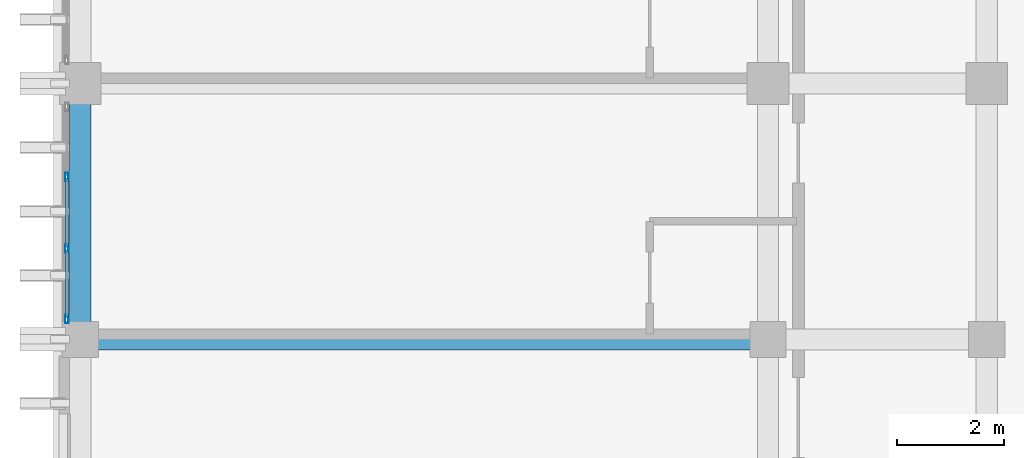
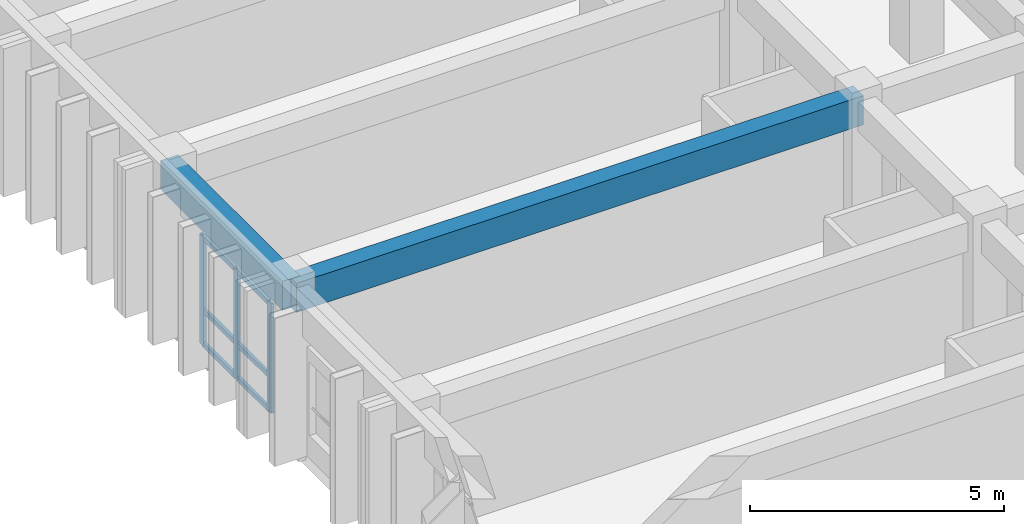
# One storey, part 12 of 68: 9 members, 2 beams, 1 element without a shape of its own.
"""IFC4 building model written with IfcOpenShell, lengths in metres."""

import ifcopenshell
import ifcopenshell.guid

model = None  # the IFC model being written
_history = None  # IfcOwnerHistory: only IFC2X3 demands one
_inside = {}  # id of a spatial element -> (the spatial element, [elements in it])
_under = {}  # id of a project, library or spatial element -> (it, [spatial elements below it])
_declared = {}  # id of a project -> (the project, [libraries it declares])
_typed = {}  # id of a type object -> (the type object, [elements of that type])
_made_of = {}  # id of a material, layer set ... -> (it, [elements and type objects made of it])


def new_model(schema):
    """Start an empty IFC model of exactly this schema.

    Asked for "IFC4X3", IfcOpenShell would pick the latest addendum, in which some entities
    have other attributes; the version numbers below select the first issue.
    IFC2X3 requires an IfcOwnerHistory on every rooted entity: one is made here for all.
    """
    global model, _history
    if schema == "IFC4X3":
        model = ifcopenshell.file(schema_version=(4, 3, 0, 0))
    else:
        model = ifcopenshell.file(schema=schema)
    _inside.clear()
    _under.clear()
    _declared.clear()
    _typed.clear()
    _made_of.clear()
    _history = None
    if model.schema == "IFC2X3":
        org = make("IfcOrganization", Name="unknown")
        user = make(
            "IfcPersonAndOrganization",
            ThePerson=make("IfcPerson", FamilyName="unknown"),
            TheOrganization=org,
        )
        app = make(
            "IfcApplication",
            ApplicationDeveloper=org,
            Version="unknown",
            ApplicationFullName="unknown",
            ApplicationIdentifier="unknown",
        )
        _history = make(
            "IfcOwnerHistory",
            OwningUser=user,
            OwningApplication=app,
            ChangeAction="ADDED",
            CreationDate=0,
        )
    return model


def make(cls, **values):
    """One entity of the class cls with the attributes given. An attribute that is None is left unset."""
    return model.create_entity(
        cls, **{name: value for name, value in values.items() if value is not None}
    )


def rooted(cls, **values):
    """An entity with a GlobalId (a new one), such as an element, a storey or a relation."""
    return make(cls, GlobalId=ifcopenshell.guid.new(), OwnerHistory=_history, **values)


def si_unit(unit_type, name, prefix=None):
    """IfcSIUnit, for example si_unit("LENGTHUNIT", "METRE", prefix="MILLI")."""
    return make("IfcSIUnit", UnitType=unit_type, Prefix=prefix, Name=name)


def assignment(units):
    """IfcUnitAssignment: the units of a project."""
    return None if units is None else make("IfcUnitAssignment", Units=units)


def point(xyz):
    """IfcCartesianPoint."""
    return None if xyz is None else make("IfcCartesianPoint", Coordinates=xyz)


def direction(xyz):
    """IfcDirection."""
    return None if xyz is None else make("IfcDirection", DirectionRatios=xyz)


def frame(location, z_axis=None, x_axis=None):
    """IfcAxis2Placement3D, a coordinate frame: its origin and axes. An axis left out is left unset."""
    return make(
        "IfcAxis2Placement3D",
        Location=point(location),
        Axis=direction(z_axis),
        RefDirection=direction(x_axis),
    )


def frame_2d(location, x_axis=None):
    """IfcAxis2Placement2D, a coordinate frame in the plane: its origin and x axis."""
    return make(
        "IfcAxis2Placement2D", Location=point(location), RefDirection=direction(x_axis)
    )


def origin():
    """The frame at (0, 0, 0) with its axes left unset."""
    return frame((0.0, 0.0, 0.0))


def origin_2d():
    """The frame at (0, 0) in the plane with its x axis left unset."""
    return frame_2d((0.0, 0.0))


def place(relative_to, where):
    """IfcLocalPlacement: puts the frame where relative to a parent placement (None: the world)."""
    return make(
        "IfcLocalPlacement", PlacementRelTo=relative_to, RelativePlacement=where
    )


def context(
    kind, dimensions, precision=None, world=None, true_north=None, identifier=None
):
    """IfcGeometricRepresentationContext, for example the 3D "Model" context."""
    return make(
        "IfcGeometricRepresentationContext",
        ContextIdentifier=identifier,
        ContextType=kind,
        CoordinateSpaceDimension=dimensions,
        Precision=precision,
        WorldCoordinateSystem=world,
        TrueNorth=true_north,
    )


def subcontext(parent, identifier, kind, view, scale=None):
    """IfcGeometricRepresentationSubContext, for example "Body" below "Model"."""
    return make(
        "IfcGeometricRepresentationSubContext",
        ContextIdentifier=identifier,
        ContextType=kind,
        ParentContext=parent,
        TargetScale=scale,
        TargetView=view,
    )


def project(units=None, contexts=None):
    """IfcProject with its units and contexts."""
    return rooted(
        "IfcProject",
        Name="project",
        RepresentationContexts=contexts,
        UnitsInContext=assignment(units),
    )


def spatial(cls, under=None, at=None, **own):
    """A site, building, storey or space (cls), placed at a placement, below another one or the project."""
    s = rooted(cls, ObjectPlacement=at, **own)
    if under is not None:
        _under.setdefault(under.id(), (under, []))[1].append(s)
    return s


def profile(cls, at=None, kind="AREA", **sizes):
    """A parametric profile (cls). Its sizes go by their IFC names, for example OverallWidth=200.0."""
    return make(cls, ProfileType=kind, Position=at, **sizes)


def rectangle(**sizes):
    """IfcRectangleProfileDef."""
    return profile("IfcRectangleProfileDef", **sizes)


def hollow_rectangle(**sizes):
    """IfcRectangleHollowProfileDef."""
    return profile("IfcRectangleHollowProfileDef", **sizes)


def extrude(swept, where, along, depth):
    """IfcExtrudedAreaSolid: the profile swept, set in the frame where, extruded along a direction by depth."""
    return make(
        "IfcExtrudedAreaSolid",
        SweptArea=swept,
        Position=where,
        ExtrudedDirection=direction(along),
        Depth=depth,
    )


def shape(context_of_items, identifier, shape_type, items):
    """IfcShapeRepresentation: the items that make up one representation, for example the "Body"."""
    return make(
        "IfcShapeRepresentation",
        ContextOfItems=context_of_items,
        RepresentationIdentifier=identifier,
        RepresentationType=shape_type,
        Items=items,
    )


def material(Name=None, Category=None):
    """IfcMaterial."""
    return make("IfcMaterial", Name=Name, Category=Category)


def layer(
    of_material, thickness, ventilated=None, Name=None, Category=None, Priority=None
):
    """IfcMaterialLayer: one layer of a wall or slab, of a material (None: an air gap)."""
    return make(
        "IfcMaterialLayer",
        Material=of_material,
        LayerThickness=thickness,
        IsVentilated=ventilated,
        Name=Name,
        Category=Category,
        Priority=Priority,
    )


def layer_set(layers, Name=None):
    """IfcMaterialLayerSet."""
    return make("IfcMaterialLayerSet", MaterialLayers=layers, LayerSetName=Name)


def material_profile(
    of_material, cross_section, Name=None, Category=None, Priority=None
):
    """IfcMaterialProfile: a cross section and its material."""
    return make(
        "IfcMaterialProfile",
        Name=Name,
        Material=of_material,
        Profile=cross_section,
        Priority=Priority,
        Category=Category,
    )


def profile_set(profiles, Name=None, composite=None):
    """IfcMaterialProfileSet."""
    return make(
        "IfcMaterialProfileSet",
        Name=Name,
        MaterialProfiles=profiles,
        CompositeProfile=composite,
    )


def made_of(thing, what):
    """Note that an element or type object is made of a material, layer set ...; save() writes the relation."""
    if what is not None:
        _made_of.setdefault(what.id(), (what, []))[1].append(thing)
    return thing


def type_object(cls, material=None, **own):
    """A type object (cls), such as IfcWallType, which elements share."""
    return made_of(rooted(cls, **own), material)


def element(
    cls,
    number,
    at=None,
    inside=None,
    cuts=None,
    type_object=None,
    material=None,
    context=None,
    identifier="Body",
    shape_type=None,
    held_by="IfcProductDefinitionShape",
    body=None,
    shapes=None,
    **own,
):
    """One element of the class cls, such as IfcWall. Its Tag is "e" and its number.

    at: its placement. inside: the storey or other place that contains it. cuts: it is an
    opening in that element (IfcRelVoidsElement). A single representation is given by context,
    identifier, shape_type and body (its items); several are given by shapes. held_by: the class
    of the entity that holds the representations. save() writes the other relations.
    """
    e = rooted(cls, Tag="e%d" % number, ObjectPlacement=at, **own)
    if body is not None:
        shapes = [shape(context, identifier, shape_type, body)]
    if shapes is not None:
        e.Representation = make(held_by, Representations=shapes)
    if inside is not None:
        _inside.setdefault(inside.id(), (inside, []))[1].append(e)
    if cuts is not None:
        rooted(
            "IfcRelVoidsElement", RelatingBuildingElement=cuts, RelatedOpeningElement=e
        )
    if type_object is not None:
        _typed.setdefault(type_object.id(), (type_object, []))[1].append(e)
    return made_of(e, material)


def aggregate(whole, parts):
    """IfcRelAggregates: a whole, such as a stair, and the parts it consists of."""
    return rooted("IfcRelAggregates", RelatingObject=whole, RelatedObjects=parts)


def save(model, path):
    """Write the relations noted so far, then the file.

    IfcRelAggregates (storeys below a building ...), IfcRelContainedInSpatialStructure (elements
    in a storey), IfcRelDefinesByType, IfcRelAssociatesMaterial and IfcRelDeclares: one each for
    every whole, place, type object, material and project.
    """
    for whole, parts in _under.values():
        aggregate(whole, parts)
    for where, things in _inside.values():
        rooted(
            "IfcRelContainedInSpatialStructure",
            RelatedElements=things,
            RelatingStructure=where,
        )
    for kind, things in _typed.values():
        rooted("IfcRelDefinesByType", RelatedObjects=things, RelatingType=kind)
    for what, things in _made_of.values():
        rooted("IfcRelAssociatesMaterial", RelatedObjects=things, RelatingMaterial=what)
    for by, libraries in _declared.values():
        rooted("IfcRelDeclares", RelatingContext=by, RelatedDefinitions=libraries)
    model.write(path)


model = new_model("IFC4")

# Units and contexts
model_context = context("Model", 3, precision=1e-05, world=origin(), true_north=direction((0.0, 1.0)))
body_context = subcontext(model_context, "Body", "Model", "MODEL_VIEW")
ifc_project = project(units=[si_unit("LENGTHUNIT", "METRE"), si_unit("AREAUNIT", "SQUARE_METRE"), si_unit("VOLUMEUNIT", "CUBIC_METRE"), si_unit("PLANEANGLEUNIT", "RADIAN"), si_unit("MASSUNIT", "GRAM", prefix="KILO")], contexts=[model_context])

# Site, building, storey
site_placement = place(None, origin())
site = spatial("IfcSite", under=ifc_project, at=site_placement, CompositionType="ELEMENT")
building_placement = place(site_placement, origin())
building = spatial("IfcBuilding", under=site, at=building_placement, Name="Nakhvara Creek Congress Hotel", CompositionType="ELEMENT")
storey_placement = place(building_placement, frame((0.0, 0.0, 24.60009765625)))
storey = spatial("IfcBuildingStorey", under=building, at=storey_placement, Name="L05", CompositionType="ELEMENT", Elevation=24.60009765625)

# Beams
ifc_material_1 = material(Name="Concrete C40/50", Category="concrete")
ifc_material_profile_1 = material_profile(ifc_material_1, rectangle(XDim=0.39990234375, YDim=0.699951171875, at=origin_2d()), Name="RC-BM 400x700", Category="LoadBearing")
ifc_profile_set_1 = profile_set([ifc_material_profile_1], Name="Concrete C40/50")
beam_type = type_object("IfcBeamType", Name="BM-RC-400X700", PredefinedType="BEAM", material=ifc_profile_set_1)
beam_1_placement = place(storey_placement, frame((149.449951171875, 52.800048828125, 2.989990234375), z_axis=(0.0, 1.0, 0.0), x_axis=(-1.0, 0.0, 0.0)))
element("IfcBeam", 1, at=beam_1_placement, inside=storey, type_object=beam_type, Name="Beam B05-L05-2067", PredefinedType="BEAM", context=body_context, shape_type="SweptSolid", body=[
    extrude(rectangle(XDim=0.39990234375, YDim=0.699951171875, at=origin_2d()), origin(), (0.0, 0.0, 1.0), 4.800048828125),
])
beam_2_placement = place(storey_placement, frame((149.449951171875, 52.800048828125, 2.989990234375), z_axis=(1.0, 0.0, 0.0), x_axis=(0.0, 1.0, 0.0)))
element("IfcBeam", 2, at=beam_2_placement, inside=storey, type_object=beam_type, Name="Beam B05-L05-2169", PredefinedType="BEAM", context=body_context, shape_type="SweptSolid", body=[
    extrude(rectangle(XDim=0.39990234375, YDim=0.699951171875, at=origin_2d()), origin(), (0.0, 0.0, 1.0), 12.900146484375),
])

# Curtain wall, members
ifc_material_2 = material(Name="Bronze-anodised aluminium AW-6063-T6 and double-silver low-E glass", Category="aluminium")
ifc_layer = layer(ifc_material_2, 0.199951171875)
ifc_layer_set = layer_set([ifc_layer], Name="Bronze-anodised aluminium AW-6063-T6 and double-silver low-E glass")
curtain_wall_type = type_object("IfcCurtainWallType", Name="CW-HTL-UNIT", PredefinedType="USERDEFINED", material=ifc_layer_set)
curtain_wall_placement = place(storey_placement, origin())
curtain_wall = element("IfcCurtainWall", 3, at=curtain_wall_placement, inside=storey, type_object=curtain_wall_type, Name="Curtain Wall CW209", ObjectType="UNITISED", PredefinedType="USERDEFINED")
ifc_material_3 = material(Name="Bronze-anodised aluminium AW-6063-T6", Category="aluminium")
ifc_material_profile_2 = material_profile(ifc_material_3, hollow_rectangle(XDim=0.06494140625, YDim=0.159912109375, WallThickness=0.00390625, at=origin_2d()), Name="ALU-MULL 65x160x4", Category="LoadBearing")
ifc_profile_set_2 = profile_set([ifc_material_profile_2], Name="Bronze-anodised aluminium AW-6063-T6")
member_type_1 = type_object("IfcMemberType", Name="CW-MULL-160", PredefinedType="MULLION", material=ifc_profile_set_2)
member_1_placement = place(storey_placement, frame((149.199951171875, 53.1875, 0.0), z_axis=(0.0, 0.0, 1.0), x_axis=(-1.0, 0.0, 0.0)))
member_1 = element("IfcMember", 4, at=member_1_placement, type_object=member_type_1, Name="CW209 mullion 1", PredefinedType="MULLION", context=body_context, shape_type="SweptSolid", body=[
    extrude(hollow_rectangle(XDim=0.06494140625, YDim=0.159912109375, WallThickness=0.00390625, at=origin_2d()), origin(), (0.0, 0.0, 1.0), 2.6318359375),
])
member_2_placement = place(storey_placement, frame((149.199951171875, 54.501708984375, 0.0), z_axis=(0.0, 0.0, 1.0), x_axis=(-1.0, 0.0, 0.0)))
member_2 = element("IfcMember", 5, at=member_2_placement, type_object=member_type_1, Name="CW209 mullion 2", PredefinedType="MULLION", context=body_context, shape_type="SweptSolid", body=[
    extrude(hollow_rectangle(XDim=0.06494140625, YDim=0.159912109375, WallThickness=0.00390625, at=origin_2d()), origin(), (0.0, 0.0, 1.0), 2.6318359375),
])
member_3_placement = place(storey_placement, frame((149.199951171875, 55.848388671875, 0.0), z_axis=(0.0, 0.0, 1.0), x_axis=(-1.0, 0.0, 0.0)))
member_3 = element("IfcMember", 6, at=member_3_placement, type_object=member_type_1, Name="CW209 mullion 3", PredefinedType="MULLION", context=body_context, shape_type="SweptSolid", body=[
    extrude(hollow_rectangle(XDim=0.06494140625, YDim=0.159912109375, WallThickness=0.00390625, at=origin_2d()), origin(), (0.0, 0.0, 1.0), 2.6318359375),
])
ifc_material_profile_3 = material_profile(ifc_material_3, hollow_rectangle(XDim=0.06494140625, YDim=0.1201171875, WallThickness=0.00390625, at=origin_2d()), Name="ALU-TRAN 65x120x4", Category="LoadBearing")
ifc_profile_set_3 = profile_set([ifc_material_profile_3], Name="Bronze-anodised aluminium AW-6063-T6")
member_type_2 = type_object("IfcMemberType", Name="CW-TRAN-120", PredefinedType="USERDEFINED", material=ifc_profile_set_3)
member_4_placement = place(storey_placement, frame((149.199951171875, 53.219970703125, 0.032470703125), z_axis=(0.0, 1.0, 0.0), x_axis=(-1.0, 0.0, 0.0)))
member_4 = element("IfcMember", 7, at=member_4_placement, type_object=member_type_2, Name="CW209 transom 1.1", ObjectType="TRANSOM", PredefinedType="USERDEFINED", context=body_context, shape_type="SweptSolid", body=[
    extrude(hollow_rectangle(XDim=0.06494140625, YDim=0.1201171875, WallThickness=0.00390625, at=origin_2d()), origin(), (0.0, 0.0, 1.0), 1.249267578125),
])
member_5_placement = place(storey_placement, frame((149.199951171875, 53.219970703125, 0.849853515625), z_axis=(0.0, 1.0, 0.0), x_axis=(-1.0, 0.0, 0.0)))
member_5 = element("IfcMember", 8, at=member_5_placement, type_object=member_type_2, Name="CW209 transom 1.2", ObjectType="TRANSOM", PredefinedType="USERDEFINED", context=body_context, shape_type="SweptSolid", body=[
    extrude(hollow_rectangle(XDim=0.06494140625, YDim=0.1201171875, WallThickness=0.00390625, at=origin_2d()), origin(), (0.0, 0.0, 1.0), 1.249267578125),
])
member_6_placement = place(storey_placement, frame((149.199951171875, 53.219970703125, 2.599365234375), z_axis=(0.0, 1.0, 0.0), x_axis=(-1.0, 0.0, 0.0)))
member_6 = element("IfcMember", 9, at=member_6_placement, type_object=member_type_2, Name="CW209 transom 1.3", ObjectType="TRANSOM", PredefinedType="USERDEFINED", context=body_context, shape_type="SweptSolid", body=[
    extrude(hollow_rectangle(XDim=0.06494140625, YDim=0.1201171875, WallThickness=0.00390625, at=origin_2d()), origin(), (0.0, 0.0, 1.0), 1.249267578125),
])
member_7_placement = place(storey_placement, frame((149.199951171875, 54.5341796875, 0.032470703125), z_axis=(0.0, 1.0, 0.0), x_axis=(-1.0, 0.0, 0.0)))
member_7 = element("IfcMember", 10, at=member_7_placement, type_object=member_type_2, Name="CW209 transom 2.1", ObjectType="TRANSOM", PredefinedType="USERDEFINED", context=body_context, shape_type="SweptSolid", body=[
    extrude(hollow_rectangle(XDim=0.06494140625, YDim=0.1201171875, WallThickness=0.00390625, at=origin_2d()), origin(), (0.0, 0.0, 1.0), 1.28173828125),
])
member_8_placement = place(storey_placement, frame((149.199951171875, 54.5341796875, 0.849853515625), z_axis=(0.0, 1.0, 0.0), x_axis=(-1.0, 0.0, 0.0)))
member_8 = element("IfcMember", 11, at=member_8_placement, type_object=member_type_2, Name="CW209 transom 2.2", ObjectType="TRANSOM", PredefinedType="USERDEFINED", context=body_context, shape_type="SweptSolid", body=[
    extrude(hollow_rectangle(XDim=0.06494140625, YDim=0.1201171875, WallThickness=0.00390625, at=origin_2d()), origin(), (0.0, 0.0, 1.0), 1.28173828125),
])
member_9_placement = place(storey_placement, frame((149.199951171875, 54.5341796875, 2.599365234375), z_axis=(0.0, 1.0, 0.0), x_axis=(-1.0, 0.0, 0.0)))
member_9 = element("IfcMember", 12, at=member_9_placement, type_object=member_type_2, Name="CW209 transom 2.3", ObjectType="TRANSOM", PredefinedType="USERDEFINED", context=body_context, shape_type="SweptSolid", body=[
    extrude(hollow_rectangle(XDim=0.06494140625, YDim=0.1201171875, WallThickness=0.00390625, at=origin_2d()), origin(), (0.0, 0.0, 1.0), 1.28173828125),
])
aggregate(curtain_wall, [member_1, member_2, member_3, member_4, member_5, member_6, member_7, member_8, member_9])

save(model, "model.ifc")
